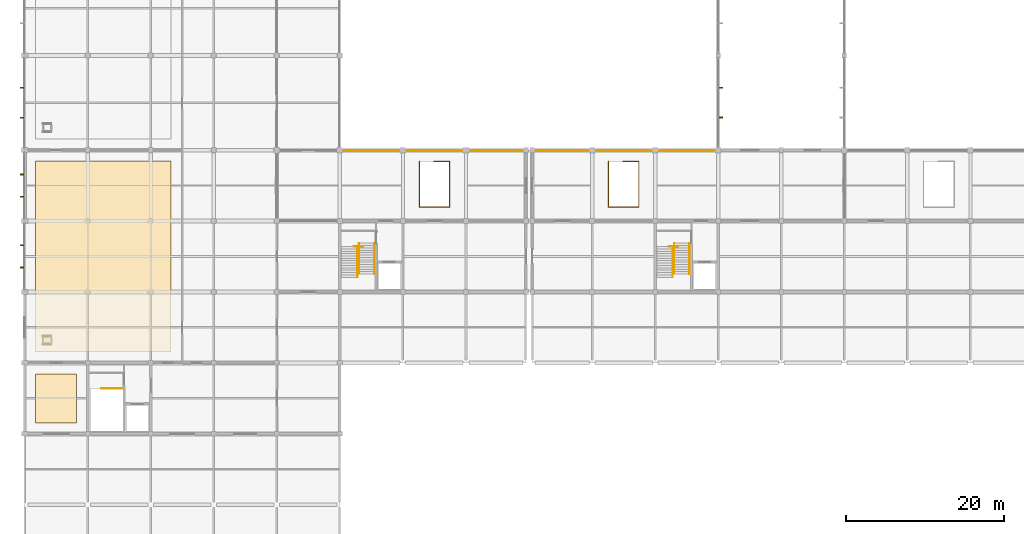
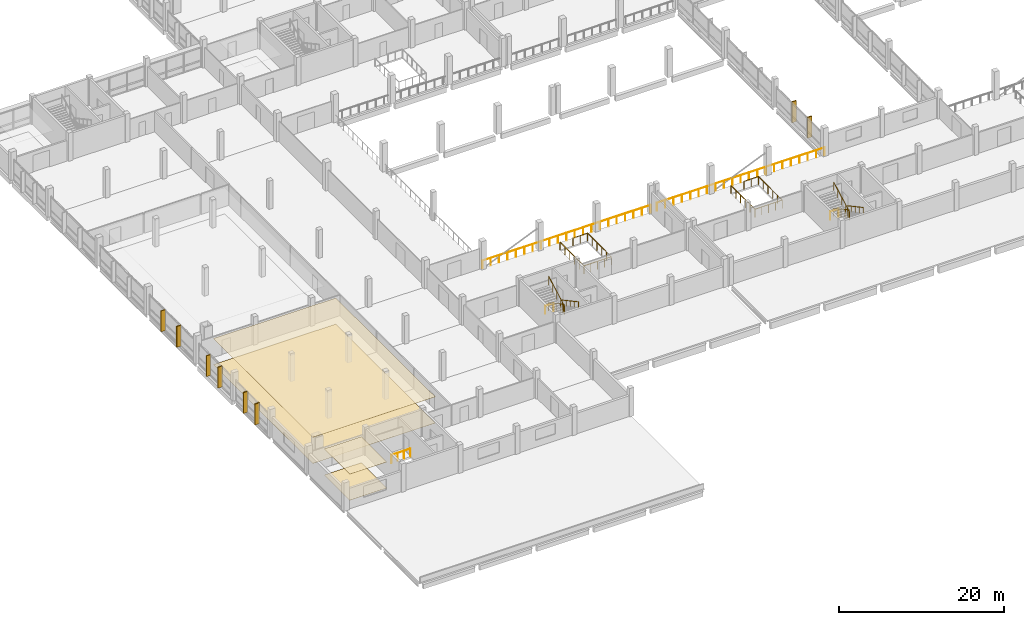
# One storey, part 52 of 57: 11 railings, 8 shading devices, 4 coverings.
"""IFC4 building model written with IfcOpenShell, lengths in metres."""

from ifc_helpers import new_model, si_unit, direction, frame, origin, origin_2d, place, context, subcontext, project, spatial, polyline, rectangle, circle, outline, extrude, material, layer, layer_set, type_object, element, save


model = new_model("IFC4")

# Units and contexts
model_context = context("Model", 3, precision=1e-05, world=origin(), true_north=direction((0.0, 1.0)))
body_context = subcontext(model_context, "Body", "Model", "MODEL_VIEW")
ifc_project = project(units=[si_unit("LENGTHUNIT", "METRE"), si_unit("AREAUNIT", "SQUARE_METRE"), si_unit("VOLUMEUNIT", "CUBIC_METRE"), si_unit("PLANEANGLEUNIT", "RADIAN"), si_unit("MASSUNIT", "GRAM", prefix="KILO"), si_unit("THERMODYNAMICTEMPERATUREUNIT", "KELVIN"), si_unit("POWERUNIT", "WATT")], contexts=[model_context])

# Site, building, storey
site_placement = place(None, origin())
site = spatial("IfcSite", under=ifc_project, at=site_placement, CompositionType="ELEMENT")
building_placement = place(site_placement, origin())
building = spatial("IfcBuilding", under=site, at=building_placement, Name="Kronsvod Quay Wholesale Market", CompositionType="ELEMENT")
storey_placement = place(building_placement, frame((0.0, 0.0, 4.800048828125)))
storey = spatial("IfcBuildingStorey", under=building, at=storey_placement, Name="L01", CompositionType="ELEMENT", Elevation=4.800048828125)

# Coverings
ifc_material_1 = material(Name="Hygienic washable aluminium baffle ceiling", Category="aluminium")
ifc_layer_1 = layer(ifc_material_1, 0.034912109375)
ifc_layer_set_1 = layer_set([ifc_layer_1], Name="Hygienic washable aluminium baffle ceiling")
covering_type_1 = type_object("IfcCoveringType", Name="Cov_Ceil02", PredefinedType="CEILING", material=ifc_layer_set_1)
covering_1_placement = place(storey_placement, frame((0.0, 0.0, 3.85498046875)))
element("IfcCovering", 1, at=covering_1_placement, inside=storey, type_object=covering_type_1, Name="CLG-SP-L01-V3-01", PredefinedType="CEILING", context=body_context, shape_type="SweptSolid", body=[
    extrude(outline(polyline([(1.39990234375, 19.39990234375), (6.60009765625, 19.39990234375), (6.60009765625, 25.60009765625), (1.39990234375, 25.60009765625), (1.39990234375, 19.39990234375)])), origin(), (0.0, 0.0, 1.0), 0.034912109375),
])
covering_2_placement = place(storey_placement, frame((0.0, 0.0, 3.864990234375)))
element("IfcCovering", 2, at=covering_2_placement, inside=storey, type_object=covering_type_1, Name="CLG-SP-L01-V3-03", PredefinedType="CEILING", context=body_context, shape_type="SweptSolid", body=[
    extrude(outline(polyline([(1.39990234375, 28.39990234375), (18.60009765625, 28.39990234375), (18.60009765625, 52.60009765625), (1.39990234375, 52.60009765625), (1.39990234375, 28.39990234375)])), origin(), (0.0, 0.0, 1.0), 0.034912109375),
])
ifc_material_2 = material(Name="Antistatic laboratory vinyl flooring")
ifc_layer_2 = layer(ifc_material_2, 0.014892578125)
ifc_layer_set_2 = layer_set([ifc_layer_2], Name="Antistatic laboratory vinyl flooring")
covering_type_2 = type_object("IfcCoveringType", Name="Cov_Floor04", PredefinedType="FLOORING", material=ifc_layer_set_2)
covering_3_placement = place(storey_placement, origin())
element("IfcCovering", 3, at=covering_3_placement, inside=storey, type_object=covering_type_2, Name="FLR-SP-L01-V3-01", PredefinedType="FLOORING", context=body_context, shape_type="SweptSolid", body=[
    extrude(outline(polyline([(1.39990234375, 19.39990234375), (6.60009765625, 19.39990234375), (6.60009765625, 25.60009765625), (1.39990234375, 25.60009765625), (1.39990234375, 19.39990234375)])), origin(), (0.0, 0.0, 1.0), 0.014892578125),
])
covering_4_placement = place(storey_placement, origin())
element("IfcCovering", 4, at=covering_4_placement, inside=storey, type_object=covering_type_2, Name="FLR-SP-L01-V3-03", PredefinedType="FLOORING", context=body_context, shape_type="SweptSolid", body=[
    extrude(outline(polyline([(1.39990234375, 28.39990234375), (18.60009765625, 28.39990234375), (18.60009765625, 52.60009765625), (1.39990234375, 52.60009765625), (1.39990234375, 28.39990234375)])), origin(), (0.0, 0.0, 1.0), 0.014892578125),
])

# Railings
ifc_material_3 = material(Name="Stainless steel and laminated glass", Category="steel")
railing_type_1 = type_object("IfcRailingType", Name="Railing_Balustrade1150", PredefinedType="BALUSTRADE", material=ifc_material_3)
railing_1_placement = place(storey_placement, frame((39.949951171875, 53.949951171875, 0.0)))
element("IfcRailing", 5, at=railing_1_placement, inside=storey, type_object=railing_type_1, Name="GRD-L01-V1S", PredefinedType="BALUSTRADE", context=body_context, shape_type="SweptSolid", body=[
    extrude(circle(Radius=0.02392578125, at=origin_2d()), frame((0.0, 0.0, 1.1259765625), z_axis=(1.0, 0.0, 0.0), x_axis=(0.0, 1.0, 0.0)), (0.0, 0.0, 1.0), 23.60009765625),
    extrude(circle(Radius=0.02099609375, at=origin_2d()), origin(), (0.0, 0.0, 1.0), 1.101806640625),
    extrude(circle(Radius=0.02099609375, at=origin_2d()), frame((1.179931640625, 0.0, 0.0)), (0.0, 0.0, 1.0), 1.101806640625),
    extrude(circle(Radius=0.02099609375, at=origin_2d()), frame((2.360107421875, 0.0, 0.0)), (0.0, 0.0, 1.0), 1.101806640625),
    extrude(circle(Radius=0.02099609375, at=origin_2d()), frame((3.5400390625, 0.0, 0.0)), (0.0, 0.0, 1.0), 1.101806640625),
    extrude(circle(Radius=0.02099609375, at=origin_2d()), frame((4.719970703125, 0.0, 0.0)), (0.0, 0.0, 1.0), 1.101806640625),
    extrude(circle(Radius=0.02099609375, at=origin_2d()), frame((5.89990234375, 0.0, 0.0)), (0.0, 0.0, 1.0), 1.101806640625),
    extrude(circle(Radius=0.02099609375, at=origin_2d()), frame((7.080078125, 0.0, 0.0)), (0.0, 0.0, 1.0), 1.101806640625),
    extrude(circle(Radius=0.02099609375, at=origin_2d()), frame((8.260009765625, 0.0, 0.0)), (0.0, 0.0, 1.0), 1.101806640625),
    extrude(circle(Radius=0.02099609375, at=origin_2d()), frame((9.43994140625, 0.0, 0.0)), (0.0, 0.0, 1.0), 1.101806640625),
    extrude(circle(Radius=0.02099609375, at=origin_2d()), frame((10.6201171875, 0.0, 0.0)), (0.0, 0.0, 1.0), 1.101806640625),
    extrude(circle(Radius=0.02099609375, at=origin_2d()), frame((11.800048828125, 0.0, 0.0)), (0.0, 0.0, 1.0), 1.101806640625),
    extrude(circle(Radius=0.02099609375, at=origin_2d()), frame((12.97998046875, 0.0, 0.0)), (0.0, 0.0, 1.0), 1.101806640625),
    extrude(circle(Radius=0.02099609375, at=origin_2d()), frame((14.16015625, 0.0, 0.0)), (0.0, 0.0, 1.0), 1.101806640625),
    extrude(circle(Radius=0.02099609375, at=origin_2d()), frame((15.340087890625, 0.0, 0.0)), (0.0, 0.0, 1.0), 1.101806640625),
    extrude(circle(Radius=0.02099609375, at=origin_2d()), frame((16.52001953125, 0.0, 0.0)), (0.0, 0.0, 1.0), 1.101806640625),
    extrude(circle(Radius=0.02099609375, at=origin_2d()), frame((17.7001953125, 0.0, 0.0)), (0.0, 0.0, 1.0), 1.101806640625),
    extrude(circle(Radius=0.02099609375, at=origin_2d()), frame((18.880126953125, 0.0, 0.0)), (0.0, 0.0, 1.0), 1.101806640625),
    extrude(circle(Radius=0.02099609375, at=origin_2d()), frame((20.06005859375, 0.0, 0.0)), (0.0, 0.0, 1.0), 1.101806640625),
    extrude(circle(Radius=0.02099609375, at=origin_2d()), frame((21.239990234375, 0.0, 0.0)), (0.0, 0.0, 1.0), 1.101806640625),
    extrude(circle(Radius=0.02099609375, at=origin_2d()), frame((22.420166015625, 0.0, 0.0)), (0.0, 0.0, 1.0), 1.101806640625),
    extrude(circle(Radius=0.02099609375, at=origin_2d()), frame((23.60009765625, 0.0, 0.0)), (0.0, 0.0, 1.0), 1.101806640625),
])
railing_2_placement = place(storey_placement, frame((64.449951171875, 53.949951171875, 0.0)))
element("IfcRailing", 6, at=railing_2_placement, inside=storey, type_object=railing_type_1, Name="GRD-L01-V1S2", PredefinedType="BALUSTRADE", context=body_context, shape_type="SweptSolid", body=[
    extrude(circle(Radius=0.02392578125, at=origin_2d()), frame((0.0, 0.0, 1.1259765625), z_axis=(1.0, 0.0, 0.0), x_axis=(0.0, 1.0, 0.0)), (0.0, 0.0, 1.0), 23.550048828125),
    extrude(circle(Radius=0.02099609375, at=origin_2d()), origin(), (0.0, 0.0, 1.0), 1.101806640625),
    extrude(circle(Radius=0.02099609375, at=origin_2d()), frame((1.177490234375, 0.0, 0.0)), (0.0, 0.0, 1.0), 1.101806640625),
    extrude(circle(Radius=0.02099609375, at=origin_2d()), frame((2.35498046875, 0.0, 0.0)), (0.0, 0.0, 1.0), 1.101806640625),
    extrude(circle(Radius=0.02099609375, at=origin_2d()), frame((3.532470703125, 0.0, 0.0)), (0.0, 0.0, 1.0), 1.101806640625),
    extrude(circle(Radius=0.02099609375, at=origin_2d()), frame((4.7099609375, 0.0, 0.0)), (0.0, 0.0, 1.0), 1.101806640625),
    extrude(circle(Radius=0.02099609375, at=origin_2d()), frame((5.887451171875, 0.0, 0.0)), (0.0, 0.0, 1.0), 1.101806640625),
    extrude(circle(Radius=0.02099609375, at=origin_2d()), frame((7.06494140625, 0.0, 0.0)), (0.0, 0.0, 1.0), 1.101806640625),
    extrude(circle(Radius=0.02099609375, at=origin_2d()), frame((8.242431640625, 0.0, 0.0)), (0.0, 0.0, 1.0), 1.101806640625),
    extrude(circle(Radius=0.02099609375, at=origin_2d()), frame((9.419921875, 0.0, 0.0)), (0.0, 0.0, 1.0), 1.101806640625),
    extrude(circle(Radius=0.02099609375, at=origin_2d()), frame((10.597412109375, 0.0, 0.0)), (0.0, 0.0, 1.0), 1.101806640625),
    extrude(circle(Radius=0.02099609375, at=origin_2d()), frame((11.77490234375, 0.0, 0.0)), (0.0, 0.0, 1.0), 1.101806640625),
    extrude(circle(Radius=0.02099609375, at=origin_2d()), frame((12.95263671875, 0.0, 0.0)), (0.0, 0.0, 1.0), 1.101806640625),
    extrude(circle(Radius=0.02099609375, at=origin_2d()), frame((14.130126953125, 0.0, 0.0)), (0.0, 0.0, 1.0), 1.101806640625),
    extrude(circle(Radius=0.02099609375, at=origin_2d()), frame((15.3076171875, 0.0, 0.0)), (0.0, 0.0, 1.0), 1.101806640625),
    extrude(circle(Radius=0.02099609375, at=origin_2d()), frame((16.485107421875, 0.0, 0.0)), (0.0, 0.0, 1.0), 1.101806640625),
    extrude(circle(Radius=0.02099609375, at=origin_2d()), frame((17.66259765625, 0.0, 0.0)), (0.0, 0.0, 1.0), 1.101806640625),
    extrude(circle(Radius=0.02099609375, at=origin_2d()), frame((18.840087890625, 0.0, 0.0)), (0.0, 0.0, 1.0), 1.101806640625),
    extrude(circle(Radius=0.02099609375, at=origin_2d()), frame((20.017578125, 0.0, 0.0)), (0.0, 0.0, 1.0), 1.101806640625),
    extrude(circle(Radius=0.02099609375, at=origin_2d()), frame((21.195068359375, 0.0, 0.0)), (0.0, 0.0, 1.0), 1.101806640625),
    extrude(circle(Radius=0.02099609375, at=origin_2d()), frame((22.37255859375, 0.0, 0.0)), (0.0, 0.0, 1.0), 1.101806640625),
    extrude(circle(Radius=0.02099609375, at=origin_2d()), frame((23.550048828125, 0.0, 0.0)), (0.0, 0.0, 1.0), 1.101806640625),
])
ifc_material_4 = material(Name="Stainless steel", Category="steel")
railing_type_2 = type_object("IfcRailingType", Name="Railing_Guard1200", PredefinedType="GUARDRAIL", material=ifc_material_4)
railing_3_placement = place(storey_placement, frame((9.75, 23.760009765625, 0.0)))
element("IfcRailing", 7, at=railing_3_placement, inside=storey, type_object=railing_type_2, Name="ST01-L00-TOP-GRD", PredefinedType="GUARDRAIL", context=body_context, shape_type="SweptSolid", body=[
    extrude(circle(Radius=0.02392578125, at=origin_2d()), frame((0.0, 0.0, 1.17578125), z_axis=(1.0, 0.0, 0.0), x_axis=(0.0, 1.0, 0.0)), (0.0, 0.0, 1.0), 2.68994140625),
    extrude(circle(Radius=0.02099609375, at=origin_2d()), origin(), (0.0, 0.0, 1.0), 1.15185546875),
    extrude(circle(Radius=0.02099609375, at=origin_2d()), frame((0.896728515625, 0.0, 0.0)), (0.0, 0.0, 1.0), 1.15185546875),
    extrude(circle(Radius=0.02099609375, at=origin_2d()), frame((1.793212890625, 0.0, 0.0)), (0.0, 0.0, 1.0), 1.15185546875),
    extrude(circle(Radius=0.02099609375, at=origin_2d()), frame((2.68994140625, 0.0, 0.0)), (0.0, 0.0, 1.0), 1.15185546875),
])
railing_4_placement = place(storey_placement, frame((41.75, 41.760009765625, 0.0)))
element("IfcRailing", 8, at=railing_4_placement, inside=storey, type_object=railing_type_2, Name="ST03-L00-TOP-GRD", PredefinedType="GUARDRAIL", context=body_context, shape_type="SweptSolid", body=[
    extrude(circle(Radius=0.02392578125, at=origin_2d()), frame((0.0, 0.0, 1.17578125), z_axis=(1.0, 0.0, 0.0), x_axis=(0.0, 1.0, 0.0)), (0.0, 0.0, 1.0), 1.159912109375),
    extrude(circle(Radius=0.02099609375, at=origin_2d()), origin(), (0.0, 0.0, 1.0), 1.15185546875),
    extrude(circle(Radius=0.02099609375, at=origin_2d()), frame((1.159912109375, 0.0, 0.0)), (0.0, 0.0, 1.0), 1.15185546875),
])
railing_5_placement = place(storey_placement, frame((42.419921875, 42.179931640625, 0.0)))
element("IfcRailing", 9, at=railing_5_placement, inside=storey, type_object=railing_type_2, Name="ST03-L01-SLOT-GRD", PredefinedType="GUARDRAIL", context=body_context, shape_type="SweptSolid", body=[
    extrude(circle(Radius=0.02392578125, at=origin_2d()), frame((0.0, 0.0, 1.17578125), z_axis=(0.0, -0.877901955688, 0.478840428744), x_axis=(1.0, 0.0, 0.0)), (0.0, 0.0, 1.0), 4.38525390625),
    extrude(circle(Radius=0.02392578125, at=origin_2d()), frame((0.0, -3.849853515625, 3.27587890625), z_axis=(-1.0, 0.0, 0.0), x_axis=(0.0, -1.0, 0.0)), (0.0, 0.0, 1.0), 0.179931640625),
    extrude(circle(Radius=0.02392578125, at=origin_2d()), frame((-0.179931640625, -3.849853515625, 3.27587890625), z_axis=(0.0, -1.0, 0.0), x_axis=(1.0, 0.0, 0.0)), (0.0, 0.0, 1.0), 0.469970703125),
    extrude(circle(Radius=0.02392578125, at=origin_2d()), frame((-0.179931640625, -4.31982421875, 3.27587890625), z_axis=(0.0, 0.880456940745, 0.474126117709), x_axis=(-1.0, 0.0, 0.0)), (0.0, 0.0, 1.0), 4.429443359375),
    extrude(circle(Radius=0.02099609375, at=origin_2d()), origin(), (0.0, 0.0, 1.0), 1.15185546875),
    extrude(circle(Radius=0.02099609375, at=origin_2d()), frame((0.0, -0.96240234375, 0.52490234375)), (0.0, 0.0, 1.0), 1.15185546875),
    extrude(circle(Radius=0.02099609375, at=origin_2d()), frame((0.0, -1.9248046875, 1.0498046875)), (0.0, 0.0, 1.0), 1.15185546875),
    extrude(circle(Radius=0.02099609375, at=origin_2d()), frame((0.0, -2.887451171875, 1.574951171875)), (0.0, 0.0, 1.0), 1.15185546875),
    extrude(circle(Radius=0.02099609375, at=origin_2d()), frame((0.0, -3.849853515625, 2.099853515625)), (0.0, 0.0, 1.0), 1.15185546875),
    extrude(circle(Radius=0.02099609375, at=origin_2d()), frame((-0.179931640625, -3.849853515625, 2.099853515625)), (0.0, 0.0, 1.0), 1.15185546875),
    extrude(circle(Radius=0.02099609375, at=origin_2d()), frame((-0.179931640625, -4.31982421875, 2.099853515625)), (0.0, 0.0, 1.0), 1.15185546875),
    extrude(circle(Radius=0.02099609375, at=origin_2d()), frame((-0.179931640625, -3.3447265625, 2.625)), (0.0, 0.0, 1.0), 1.15185546875),
    extrude(circle(Radius=0.02099609375, at=origin_2d()), frame((-0.179931640625, -2.369873046875, 3.14990234375)), (0.0, 0.0, 1.0), 1.15185546875),
    extrude(circle(Radius=0.02099609375, at=origin_2d()), frame((-0.179931640625, -1.39501953125, 3.6748046875)), (0.0, 0.0, 1.0), 1.15185546875),
    extrude(circle(Radius=0.02099609375, at=origin_2d()), frame((-0.179931640625, -0.419921875, 4.199951171875)), (0.0, 0.0, 1.0), 1.15185546875),
])
railing_6_placement = place(storey_placement, frame((81.75, 41.760009765625, 0.0)))
element("IfcRailing", 10, at=railing_6_placement, inside=storey, type_object=railing_type_2, Name="ST04-L00-TOP-GRD", PredefinedType="GUARDRAIL", context=body_context, shape_type="SweptSolid", body=[
    extrude(circle(Radius=0.02392578125, at=origin_2d()), frame((0.0, 0.0, 1.17578125), z_axis=(1.0, 0.0, 0.0), x_axis=(0.0, 1.0, 0.0)), (0.0, 0.0, 1.0), 1.159912109375),
    extrude(circle(Radius=0.02099609375, at=origin_2d()), origin(), (0.0, 0.0, 1.0), 1.15185546875),
    extrude(circle(Radius=0.02099609375, at=origin_2d()), frame((1.159912109375, 0.0, 0.0)), (0.0, 0.0, 1.0), 1.15185546875),
])
railing_7_placement = place(storey_placement, frame((82.419921875, 42.179931640625, 0.0)))
element("IfcRailing", 11, at=railing_7_placement, inside=storey, type_object=railing_type_2, Name="ST04-L01-SLOT-GRD", PredefinedType="GUARDRAIL", context=body_context, shape_type="SweptSolid", body=[
    extrude(circle(Radius=0.02392578125, at=origin_2d()), frame((0.0, 0.0, 1.17578125), z_axis=(0.0, -0.877901955688, 0.478840428744), x_axis=(1.0, 0.0, 0.0)), (0.0, 0.0, 1.0), 4.38525390625),
    extrude(circle(Radius=0.02392578125, at=origin_2d()), frame((0.0, -3.849853515625, 3.27587890625), z_axis=(-1.0, 0.0, 0.0), x_axis=(0.0, -1.0, 0.0)), (0.0, 0.0, 1.0), 0.179931640625),
    extrude(circle(Radius=0.02392578125, at=origin_2d()), frame((-0.179931640625, -3.849853515625, 3.27587890625), z_axis=(0.0, -1.0, 0.0), x_axis=(1.0, 0.0, 0.0)), (0.0, 0.0, 1.0), 0.469970703125),
    extrude(circle(Radius=0.02392578125, at=origin_2d()), frame((-0.179931640625, -4.31982421875, 3.27587890625), z_axis=(0.0, 0.880456940745, 0.474126117709), x_axis=(-1.0, 0.0, 0.0)), (0.0, 0.0, 1.0), 4.429443359375),
    extrude(circle(Radius=0.02099609375, at=origin_2d()), origin(), (0.0, 0.0, 1.0), 1.15185546875),
    extrude(circle(Radius=0.02099609375, at=origin_2d()), frame((0.0, -0.96240234375, 0.52490234375)), (0.0, 0.0, 1.0), 1.15185546875),
    extrude(circle(Radius=0.02099609375, at=origin_2d()), frame((0.0, -1.9248046875, 1.0498046875)), (0.0, 0.0, 1.0), 1.15185546875),
    extrude(circle(Radius=0.02099609375, at=origin_2d()), frame((0.0, -2.887451171875, 1.574951171875)), (0.0, 0.0, 1.0), 1.15185546875),
    extrude(circle(Radius=0.02099609375, at=origin_2d()), frame((0.0, -3.849853515625, 2.099853515625)), (0.0, 0.0, 1.0), 1.15185546875),
    extrude(circle(Radius=0.02099609375, at=origin_2d()), frame((-0.179931640625, -3.849853515625, 2.099853515625)), (0.0, 0.0, 1.0), 1.15185546875),
    extrude(circle(Radius=0.02099609375, at=origin_2d()), frame((-0.179931640625, -4.31982421875, 2.099853515625)), (0.0, 0.0, 1.0), 1.15185546875),
    extrude(circle(Radius=0.02099609375, at=origin_2d()), frame((-0.179931640625, -3.3447265625, 2.625)), (0.0, 0.0, 1.0), 1.15185546875),
    extrude(circle(Radius=0.02099609375, at=origin_2d()), frame((-0.179931640625, -2.369873046875, 3.14990234375)), (0.0, 0.0, 1.0), 1.15185546875),
    extrude(circle(Radius=0.02099609375, at=origin_2d()), frame((-0.179931640625, -1.39501953125, 3.6748046875)), (0.0, 0.0, 1.0), 1.15185546875),
    extrude(circle(Radius=0.02099609375, at=origin_2d()), frame((-0.179931640625, -0.419921875, 4.199951171875)), (0.0, 0.0, 1.0), 1.15185546875),
])
railing_8_placement = place(storey_placement, frame((51.89990234375, 52.570068359375, 0.0)))
element("IfcRailing", 12, at=railing_8_placement, inside=storey, type_object=railing_type_2, Name="ST-GAL-W1-L01-GRD", PredefinedType="GUARDRAIL", context=body_context, shape_type="SweptSolid", body=[
    extrude(circle(Radius=0.02392578125, at=origin_2d()), frame((0.0, 0.0, 1.17578125), z_axis=(1.0, 0.0, 0.0), x_axis=(0.0, 1.0, 0.0)), (0.0, 0.0, 1.0), 2.02001953125),
    extrude(circle(Radius=0.02392578125, at=origin_2d()), frame((2.02001953125, 0.0, 1.17578125), z_axis=(0.0, -1.0, 0.0), x_axis=(1.0, 0.0, 0.0)), (0.0, 0.0, 1.0), 5.7900390625),
    extrude(circle(Radius=0.02392578125, at=origin_2d()), frame((2.02001953125, -5.7900390625, 1.17578125), z_axis=(-1.0, 0.0, 0.0), x_axis=(0.0, -1.0, 0.0)), (0.0, 0.0, 1.0), 3.83984375),
    extrude(circle(Radius=0.02392578125, at=origin_2d()), frame((-1.81982421875, -5.7900390625, 1.17578125), z_axis=(0.0, 1.0, 0.0), x_axis=(-1.0, 0.0, 0.0)), (0.0, 0.0, 1.0), 5.7900390625),
    extrude(circle(Radius=0.02099609375, at=origin_2d()), origin(), (0.0, 0.0, 1.0), 1.15185546875),
    extrude(circle(Radius=0.02099609375, at=origin_2d()), frame((1.010009765625, 0.0, 0.0)), (0.0, 0.0, 1.0), 1.15185546875),
    extrude(circle(Radius=0.02099609375, at=origin_2d()), frame((2.02001953125, 0.0, 0.0)), (0.0, 0.0, 1.0), 1.15185546875),
    extrude(circle(Radius=0.02099609375, at=origin_2d()), frame((2.02001953125, -1.157958984375, 0.0)), (0.0, 0.0, 1.0), 1.15185546875),
    extrude(circle(Radius=0.02099609375, at=origin_2d()), frame((2.02001953125, -2.31591796875, 0.0)), (0.0, 0.0, 1.0), 1.15185546875),
    extrude(circle(Radius=0.02099609375, at=origin_2d()), frame((2.02001953125, -3.47412109375, 0.0)), (0.0, 0.0, 1.0), 1.15185546875),
    extrude(circle(Radius=0.02099609375, at=origin_2d()), frame((2.02001953125, -4.632080078125, 0.0)), (0.0, 0.0, 1.0), 1.15185546875),
    extrude(circle(Radius=0.02099609375, at=origin_2d()), frame((2.02001953125, -5.7900390625, 0.0)), (0.0, 0.0, 1.0), 1.15185546875),
    extrude(circle(Radius=0.02099609375, at=origin_2d()), frame((1.06005859375, -5.7900390625, 0.0)), (0.0, 0.0, 1.0), 1.15185546875),
    extrude(circle(Radius=0.02099609375, at=origin_2d()), frame((0.10009765625, -5.7900390625, 0.0)), (0.0, 0.0, 1.0), 1.15185546875),
    extrude(circle(Radius=0.02099609375, at=origin_2d()), frame((-0.85986328125, -5.7900390625, 0.0)), (0.0, 0.0, 1.0), 1.15185546875),
    extrude(circle(Radius=0.02099609375, at=origin_2d()), frame((-1.81982421875, -5.7900390625, 0.0)), (0.0, 0.0, 1.0), 1.15185546875),
    extrude(circle(Radius=0.02099609375, at=origin_2d()), frame((-1.81982421875, -4.632080078125, 0.0)), (0.0, 0.0, 1.0), 1.15185546875),
    extrude(circle(Radius=0.02099609375, at=origin_2d()), frame((-1.81982421875, -3.47412109375, 0.0)), (0.0, 0.0, 1.0), 1.15185546875),
    extrude(circle(Radius=0.02099609375, at=origin_2d()), frame((-1.81982421875, -2.31591796875, 0.0)), (0.0, 0.0, 1.0), 1.15185546875),
    extrude(circle(Radius=0.02099609375, at=origin_2d()), frame((-1.81982421875, -1.157958984375, 0.0)), (0.0, 0.0, 1.0), 1.15185546875),
    extrude(circle(Radius=0.02099609375, at=origin_2d()), frame((-1.81982421875, 0.0, 0.0)), (0.0, 0.0, 1.0), 1.15185546875),
])
railing_9_placement = place(storey_placement, frame((75.89990234375, 52.570068359375, 0.0)))
element("IfcRailing", 13, at=railing_9_placement, inside=storey, type_object=railing_type_2, Name="ST-GAL-W2-L01-GRD", PredefinedType="GUARDRAIL", context=body_context, shape_type="SweptSolid", body=[
    extrude(circle(Radius=0.02392578125, at=origin_2d()), frame((0.0, 0.0, 1.17578125), z_axis=(1.0, 0.0, 0.0), x_axis=(0.0, 1.0, 0.0)), (0.0, 0.0, 1.0), 2.02001953125),
    extrude(circle(Radius=0.02392578125, at=origin_2d()), frame((2.02001953125, 0.0, 1.17578125), z_axis=(0.0, -1.0, 0.0), x_axis=(1.0, 0.0, 0.0)), (0.0, 0.0, 1.0), 5.7900390625),
    extrude(circle(Radius=0.02392578125, at=origin_2d()), frame((2.02001953125, -5.7900390625, 1.17578125), z_axis=(-1.0, 0.0, 0.0), x_axis=(0.0, -1.0, 0.0)), (0.0, 0.0, 1.0), 3.83984375),
    extrude(circle(Radius=0.02392578125, at=origin_2d()), frame((-1.81982421875, -5.7900390625, 1.17578125), z_axis=(0.0, 1.0, 0.0), x_axis=(-1.0, 0.0, 0.0)), (0.0, 0.0, 1.0), 5.7900390625),
    extrude(circle(Radius=0.02099609375, at=origin_2d()), origin(), (0.0, 0.0, 1.0), 1.15185546875),
    extrude(circle(Radius=0.02099609375, at=origin_2d()), frame((1.010009765625, 0.0, 0.0)), (0.0, 0.0, 1.0), 1.15185546875),
    extrude(circle(Radius=0.02099609375, at=origin_2d()), frame((2.02001953125, 0.0, 0.0)), (0.0, 0.0, 1.0), 1.15185546875),
    extrude(circle(Radius=0.02099609375, at=origin_2d()), frame((2.02001953125, -1.157958984375, 0.0)), (0.0, 0.0, 1.0), 1.15185546875),
    extrude(circle(Radius=0.02099609375, at=origin_2d()), frame((2.02001953125, -2.31591796875, 0.0)), (0.0, 0.0, 1.0), 1.15185546875),
    extrude(circle(Radius=0.02099609375, at=origin_2d()), frame((2.02001953125, -3.47412109375, 0.0)), (0.0, 0.0, 1.0), 1.15185546875),
    extrude(circle(Radius=0.02099609375, at=origin_2d()), frame((2.02001953125, -4.632080078125, 0.0)), (0.0, 0.0, 1.0), 1.15185546875),
    extrude(circle(Radius=0.02099609375, at=origin_2d()), frame((2.02001953125, -5.7900390625, 0.0)), (0.0, 0.0, 1.0), 1.15185546875),
    extrude(circle(Radius=0.02099609375, at=origin_2d()), frame((1.06005859375, -5.7900390625, 0.0)), (0.0, 0.0, 1.0), 1.15185546875),
    extrude(circle(Radius=0.02099609375, at=origin_2d()), frame((0.10009765625, -5.7900390625, 0.0)), (0.0, 0.0, 1.0), 1.15185546875),
    extrude(circle(Radius=0.02099609375, at=origin_2d()), frame((-0.85986328125, -5.7900390625, 0.0)), (0.0, 0.0, 1.0), 1.15185546875),
    extrude(circle(Radius=0.02099609375, at=origin_2d()), frame((-1.81982421875, -5.7900390625, 0.0)), (0.0, 0.0, 1.0), 1.15185546875),
    extrude(circle(Radius=0.02099609375, at=origin_2d()), frame((-1.81982421875, -4.632080078125, 0.0)), (0.0, 0.0, 1.0), 1.15185546875),
    extrude(circle(Radius=0.02099609375, at=origin_2d()), frame((-1.81982421875, -3.47412109375, 0.0)), (0.0, 0.0, 1.0), 1.15185546875),
    extrude(circle(Radius=0.02099609375, at=origin_2d()), frame((-1.81982421875, -2.31591796875, 0.0)), (0.0, 0.0, 1.0), 1.15185546875),
    extrude(circle(Radius=0.02099609375, at=origin_2d()), frame((-1.81982421875, -1.157958984375, 0.0)), (0.0, 0.0, 1.0), 1.15185546875),
    extrude(circle(Radius=0.02099609375, at=origin_2d()), frame((-1.81982421875, 0.0, 0.0)), (0.0, 0.0, 1.0), 1.15185546875),
])
ifc_material_5 = material(Name="Stainless steel", Category="steel")
railing_type_3 = type_object("IfcRailingType", Name="Railing_Handrail900", PredefinedType="HANDRAIL", material=ifc_material_5)
for number, where, name in (
    (14, (44.3798828125, 42.179931640625, 0.0), "ST03-L01-HDR"),
    (15, (84.3798828125, 42.179931640625, 0.0), "ST04-L01-HDR"),
):
    element("IfcRailing", number, at=place(storey_placement, frame(where)), inside=storey, type_object=railing_type_3, Name=name, PredefinedType="HANDRAIL", context=body_context, shape_type="SweptSolid", body=[
        extrude(circle(Radius=0.02392578125, at=origin_2d()), frame((0.0, 0.0, 0.8759765625), z_axis=(0.0, -0.88047994924, 0.474083388219), x_axis=(1.0, 0.0, 0.0)), (0.0, 0.0, 1.0), 4.42919921875),
        extrude(circle(Radius=0.02099609375, at=origin_2d()), origin(), (0.0, 0.0, 1.0), 0.851806640625),
        extrude(circle(Radius=0.02099609375, at=origin_2d()), frame((0.0, -0.97509765625, 0.52490234375)), (0.0, 0.0, 1.0), 0.851806640625),
        extrude(circle(Radius=0.02099609375, at=origin_2d()), frame((0.0, -1.949951171875, 1.0498046875)), (0.0, 0.0, 1.0), 0.851806640625),
        extrude(circle(Radius=0.02099609375, at=origin_2d()), frame((0.0, -2.9248046875, 1.574951171875)), (0.0, 0.0, 1.0), 0.851806640625),
        extrude(circle(Radius=0.02099609375, at=origin_2d()), frame((0.0, -3.89990234375, 2.099853515625)), (0.0, 0.0, 1.0), 0.851806640625),
    ])

# Shading devices
ifc_material_6 = material(Name="Anodised aluminium", Category="aluminium")
shading_device_type = type_object("IfcShadingDeviceType", Name="Shade_SolarFin", PredefinedType="AWNING", material=ifc_material_6)
for number, where, z_axis, x_axis, name in (
    (16, (-0.280029296875, 39.098388671875, -0.02001953125), (0.0, 0.0, 1.0), (1.0, 0.0, 0.0), "SHDF-CWGY-L01-0-360-391"),
    (17, (-0.280029296875, 41.901611328125, -0.02001953125), (0.0, 0.0, 1.0), (1.0, 0.0, 0.0), "SHDF-CWGY-L01-0-360-419"),
    (18, (-0.280029296875, 48.098388671875, -0.02001953125), (0.0, 0.0, 1.0), (1.0, 0.0, 0.0), "SHDF-CWGY-L01-0-450-481"),
    (19, (-0.280029296875, 50.901611328125, -0.02001953125), (0.0, 0.0, 1.0), (1.0, 0.0, 0.0), "SHDF-CWGY-L01-0-450-509"),
    (20, (-0.280029296875, 58.098388671875, -0.02001953125), (0.0, 0.0, 1.0), (1.0, 0.0, 0.0), "SHDF-CWGY-L01-0-540-581"),
    (21, (-0.280029296875, 61.901611328125, -0.02001953125), (0.0, 0.0, 1.0), (1.0, 0.0, 0.0), "SHDF-CWGY-L01-0-540-619"),
    (22, (88.280029296875, 58.131591796875, -0.02001953125), (0.0, 0.0, 1.0), (1.0, 0.0, 0.0), "SHDF-CWGY-L01-880-540-581"),
    (23, (88.280029296875, 61.918212890625, -0.02001953125), (0.0, 0.0, 1.0), (1.0, 0.0, 0.0), "SHDF-CWGY-L01-880-540-619"),
):
    element("IfcShadingDevice", number, at=place(storey_placement, frame(where, z_axis=z_axis, x_axis=x_axis)), inside=storey, type_object=shading_device_type, Name=name, PredefinedType="AWNING", context=body_context, shape_type="SweptSolid", body=[
        extrude(rectangle(XDim=0.6201171875, YDim=0.139892578125, at=origin_2d()), origin(), (0.0, 0.0, 1.0), 3.090087890625),
    ])

save(model, "model.ifc")
